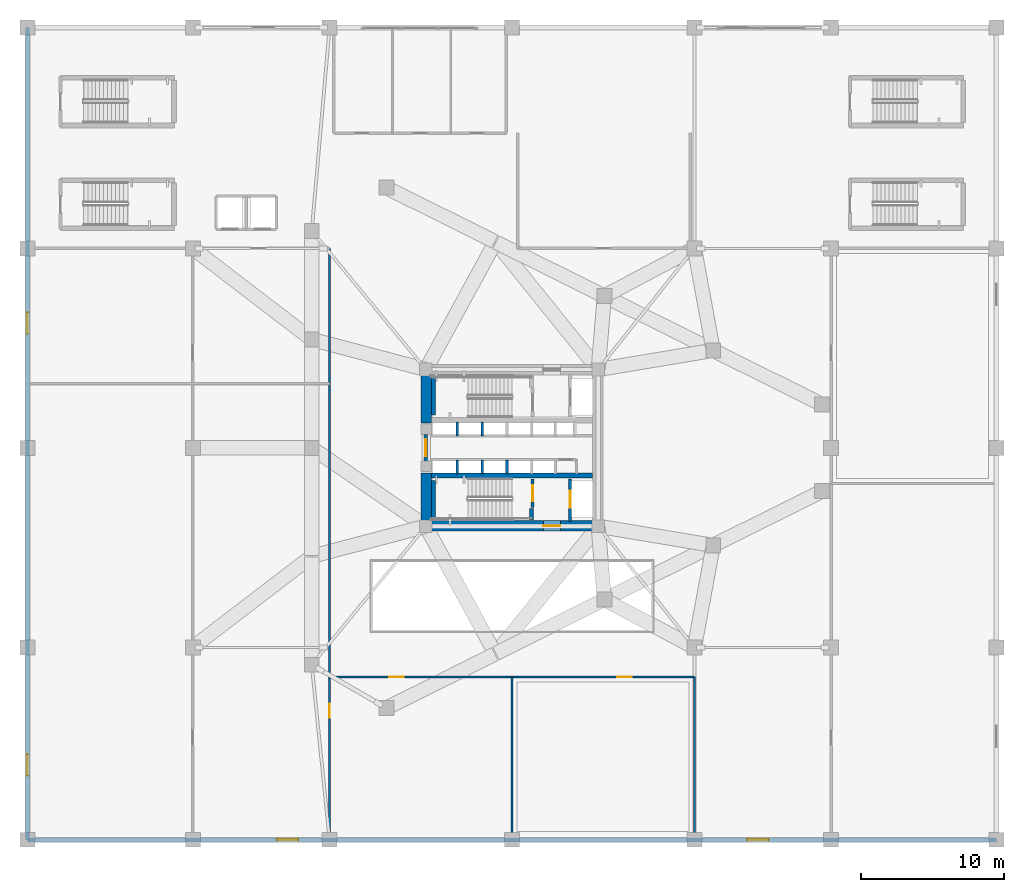
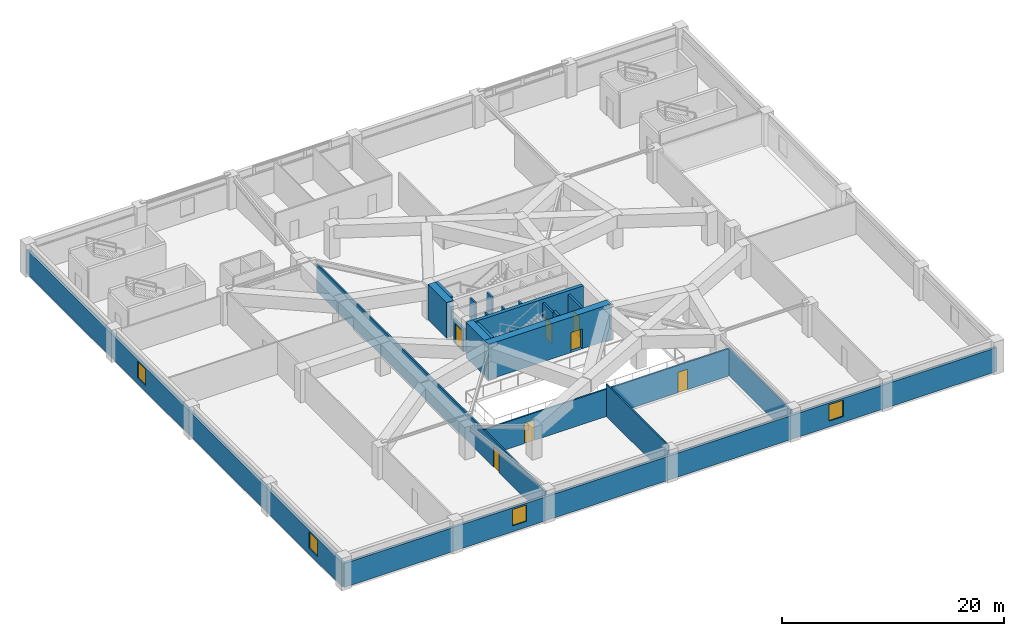
# One storey, part 5 of 16: 21 walls, 7 doors, 4 windows, 11 openings.
"""IFC4 building model written with IfcOpenShell, lengths in metres."""

from ifc_helpers import new_model, si_unit, direction, frame, frame_2d, origin, place, context, subcontext, project, spatial, rectangle, extrude, material, layer, layer_set, type_object, element, fill, save


model = new_model("IFC4")

# Units and contexts
model_context = context("Model", 3, precision=1e-05, world=origin(), true_north=direction((0.0, 1.0)))
body_context = subcontext(model_context, "Body", "Model", "MODEL_VIEW")
ifc_project = project(units=[si_unit("LENGTHUNIT", "METRE"), si_unit("AREAUNIT", "SQUARE_METRE"), si_unit("VOLUMEUNIT", "CUBIC_METRE"), si_unit("PLANEANGLEUNIT", "RADIAN"), si_unit("MASSUNIT", "GRAM", prefix="KILO")], contexts=[model_context])

# Site, building, storey
site_placement = place(None, origin())
site = spatial("IfcSite", under=ifc_project, at=site_placement, CompositionType="ELEMENT")
building_placement = place(site_placement, origin())
building = spatial("IfcBuilding", under=site, at=building_placement, Name="Yunling Apex Tower", CompositionType="ELEMENT")
storey_placement = place(building_placement, frame((0.0, 0.0, 16.199951171875)))
storey = spatial("IfcBuildingStorey", under=building, at=storey_placement, Name="L05", CompositionType="ELEMENT", Elevation=16.199951171875)

# Wall, opening, door
ifc_material_1 = material(Name="Concrete C60", Category="concrete")
ifc_layer_1 = layer(ifc_material_1, 0.75)
ifc_layer_set_1 = layer_set([ifc_layer_1], Name="Concrete C60")
wall_type_1 = type_object("IfcWallType", Name="WL-COR-1", PredefinedType="SHEAR", material=ifc_layer_set_1)
wall_1_placement = place(storey_placement, frame((-6.39990234375, -5.47509765625, 0.0), z_axis=(0.0, 0.0, 1.0), x_axis=(1.0, 0.0, 0.0)))
wall_1 = element("IfcWall", 1, at=wall_1_placement, inside=storey, type_object=wall_type_1, Name="L05 South Core Shear Wall", PredefinedType="SHEAR", context=body_context, shape_type="SweptSolid", body=[
    extrude(rectangle(XDim=12.7998046875, YDim=0.75, at=frame_2d((6.39990234375, 0.0))), origin(), (0.0, 0.0, 1.0), 3.900146484375),
])
opening_1_placement = place(wall_1_placement, frame((8.60009765625, 0.0, 0.0)))
opening_1 = element("IfcOpeningElement", 2, at=opening_1_placement, cuts=wall_1, Name="Opening DR-FFL-1", PredefinedType="OPENING", context=body_context, shape_type="SweptSolid", body=[
    extrude(rectangle(XDim=1.199951171875, YDim=2.199951171875, at=frame_2d((0.60009765625, 1.10009765625))), frame((0.0, 0.385009765625, 0.0), z_axis=(0.0, -1.0, 0.0), x_axis=(1.0, 0.0, 0.0)), (0.0, 0.0, 1.0), 0.77001953125),
])
ifc_material_2 = material(Name="Steel Q355B", Category="steel")
door_type_1 = type_object("IfcDoorType", Name="DR-FFL-1", OperationType="NOTDEFINED", PredefinedType="DOOR", material=ifc_material_2)
door_1_placement = place(opening_1_placement, origin())
door_1 = element("IfcDoor", 3, at=door_1_placement, inside=storey, type_object=door_type_1, Name="L05 South Firefighting Lobby Door", OperationType="SINGLE_SWING_RIGHT", OverallHeight=2.199951171875, OverallWidth=1.199951171875, PredefinedType="DOOR", context=body_context, shape_type="SweptSolid", body=[
    extrude(rectangle(XDim=1.199951171875, YDim=2.199951171875, at=frame_2d((0.60009765625, 1.10009765625))), frame((0.0, 0.02490234375, 0.0), z_axis=(0.0, -1.0, 0.0), x_axis=(1.0, 0.0, 0.0)), (0.0, 0.0, 1.0), 0.050048828125),
])
fill(opening_1, door_1)

# Walls
for number, where, z_axis, x_axis, name in (
    (4, (-6.02490234375, -5.10009765625, 0.0), (0.0, 0.0, 1.0), (0.0, 1.0, 0.0), "L05 West-South Core Shear Wall"),
    (5, (-6.02490234375, 1.75, 0.0), (0.0, 0.0, 1.0), (0.0, 1.0, 0.0), "L05 West-North Core Shear Wall"),
):
    element("IfcWall", number, at=place(storey_placement, frame(where, z_axis=z_axis, x_axis=x_axis)), inside=storey, type_object=wall_type_1, Name=name, PredefinedType="SHEAR", context=body_context, shape_type="SweptSolid", body=[
        extrude(rectangle(XDim=3.35009765625, YDim=0.75, at=frame_2d((1.675048828125, 0.0))), origin(), (0.0, 0.0, 1.0), 3.900146484375),
    ])
ifc_material_3 = material(Name="Concrete C40", Category="concrete")
ifc_layer_2 = layer(ifc_material_3, 0.360107421875)
ifc_layer_set_2 = layer_set([ifc_layer_2], Name="Concrete C40")
wall_type_2 = type_object("IfcWallType", Name="WL-COR-4", PredefinedType="SHEAR", material=ifc_layer_set_2)
wall_2_placement = place(storey_placement, frame((-5.64990234375, -1.93994140625, 0.0), z_axis=(0.0, 0.0, 1.0), x_axis=(1.0, 0.0, 0.0)))
element("IfcWall", 6, at=wall_2_placement, inside=storey, type_object=wall_type_2, Name="L05 South Internal Core Shear Wall", PredefinedType="SHEAR", context=body_context, shape_type="SweptSolid", body=[
    extrude(rectangle(XDim=11.2998046875, YDim=0.360107421875, at=frame_2d((5.64990234375, 0.0))), origin(), (0.0, 0.0, 1.0), 3.900146484375),
])
ifc_layer_3 = layer(ifc_material_3, 0.280029296875)
ifc_layer_set_3 = layer_set([ifc_layer_3], Name="Concrete C40")
wall_type_3 = type_object("IfcWallType", Name="WL-COR-8", PredefinedType="SHEAR", material=ifc_layer_set_3)
for number, where, z_axis, x_axis, name in (
    (7, (-5.52001953125, 2.300048828125, 0.0), (0.0, 0.0, 1.0), (0.0, 1.0, 0.0), "L05 ST-1 West Landing Bearing Wall"),
    (8, (-5.52001953125, -5.050048828125, 0.0), (0.0, 0.0, 1.0), (0.0, 1.0, 0.0), "L05 ST-2 West Landing Bearing Wall"),
):
    element("IfcWall", number, at=place(storey_placement, frame(where, z_axis=z_axis, x_axis=x_axis)), inside=storey, type_object=wall_type_3, Name=name, PredefinedType="SHEAR", context=body_context, shape_type="SweptSolid", body=[
        extrude(rectangle(XDim=2.75, YDim=0.280029296875, at=frame_2d((1.375, 0.0))), origin(), (0.0, 0.0, 1.0), 3.900146484375),
    ])
wall_3_placement = place(storey_placement, frame((1.3798828125, -5.050048828125, 0.0), z_axis=(0.0, 0.0, 1.0), x_axis=(0.0, 1.0, 0.0)))
element("IfcWall", 9, at=wall_3_placement, inside=storey, type_object=wall_type_3, Name="L05 ST-2 East Landing Bearing Pier", PredefinedType="SHEAR", context=body_context, shape_type="SweptSolid", body=[
    extrude(rectangle(XDim=0.800048828125, YDim=0.280029296875, at=frame_2d((0.39990234375, 0.0))), origin(), (0.0, 0.0, 1.0), 3.900146484375),
])

# Wall, openings, windows
ifc_material_4 = material(Name="Precast concrete C40", Category="concrete")
ifc_layer_4 = layer(ifc_material_4, 0.280029296875)
ifc_layer_set_4 = layer_set([ifc_layer_4], Name="Precast concrete C40")
wall_type_4 = type_object("IfcWallType", Name="WL-EXT-2", PredefinedType="SOLIDWALL", material=ifc_layer_set_4)
wall_4_placement = place(storey_placement, frame((34.0, -27.5, 0.0), z_axis=(0.0, 0.0, 1.0), x_axis=(-1.0, 0.0, 0.0)))
wall_4 = element("IfcWall", 10, at=wall_4_placement, inside=storey, type_object=wall_type_4, Name="WL-POD-L05-S", PredefinedType="SOLIDWALL", context=body_context, shape_type="SweptSolid", body=[
    extrude(rectangle(XDim=68.0, YDim=0.280029296875, at=frame_2d((34.0, 0.0))), origin(), (0.0, 0.0, 1.0), 2.64013671875),
])
opening_2_placement = place(wall_4_placement, frame((16.0, 0.0, 0.64990234375)))
opening_2 = element("IfcOpeningElement", 11, at=opening_2_placement, cuts=wall_4, Name="Opening WN-POD-3", PredefinedType="OPENING", context=body_context, shape_type="SweptSolid", body=[
    extrude(rectangle(XDim=1.5, YDim=1.800048828125, at=frame_2d((0.75, 0.89990234375))), frame((0.0, 0.14990234375, 0.0), z_axis=(0.0, -1.0, 0.0), x_axis=(1.0, 0.0, 0.0)), (0.0, 0.0, 1.0), 0.300048828125),
])
opening_3_placement = place(wall_4_placement, frame((49.0, 0.0, 0.64990234375)))
opening_3 = element("IfcOpeningElement", 12, at=opening_3_placement, cuts=wall_4, Name="Opening WN-POD-3", PredefinedType="OPENING", context=body_context, shape_type="SweptSolid", body=[
    extrude(rectangle(XDim=1.5, YDim=1.800048828125, at=frame_2d((0.75, 0.89990234375))), frame((0.0, 0.14990234375, 0.0), z_axis=(0.0, -1.0, 0.0), x_axis=(1.0, 0.0, 0.0)), (0.0, 0.0, 1.0), 0.300048828125),
])
ifc_material_5 = material(Name="Bronze tinted low-E glass", Category="glass")
window_type = type_object("IfcWindowType", Name="WN-POD-3", PartitioningType="SINGLE_PANEL", PredefinedType="WINDOW", material=ifc_material_5)
window_1_placement = place(opening_2_placement, origin())
window_1 = element("IfcWindow", 13, at=window_1_placement, inside=storey, type_object=window_type, Name="WN-L05-S-1", OverallHeight=1.800048828125, OverallWidth=1.5, PartitioningType="SINGLE_PANEL", PredefinedType="WINDOW", context=body_context, shape_type="SweptSolid", body=[
    extrude(rectangle(XDim=1.5, YDim=1.800048828125, at=frame_2d((0.75, 0.89990234375))), frame((0.0, 0.030029296875, 0.0), z_axis=(0.0, -1.0, 0.0), x_axis=(1.0, 0.0, 0.0)), (0.0, 0.0, 1.0), 0.06005859375),
])
fill(opening_2, window_1)
window_2_placement = place(opening_3_placement, origin())
window_2 = element("IfcWindow", 14, at=window_2_placement, inside=storey, type_object=window_type, Name="WN-L05-S-2", OverallHeight=1.800048828125, OverallWidth=1.5, PartitioningType="SINGLE_PANEL", PredefinedType="WINDOW", context=body_context, shape_type="SweptSolid", body=[
    extrude(rectangle(XDim=1.5, YDim=1.800048828125, at=frame_2d((0.75, 0.89990234375))), frame((0.0, 0.030029296875, 0.0), z_axis=(0.0, -1.0, 0.0), x_axis=(1.0, 0.0, 0.0)), (0.0, 0.0, 1.0), 0.06005859375),
])
fill(opening_3, window_2)

wall_5_placement = place(storey_placement, frame((-34.0, -27.5, 0.0), z_axis=(0.0, 0.0, 1.0), x_axis=(0.0, 1.0, 0.0)))
wall_5 = element("IfcWall", 15, at=wall_5_placement, inside=storey, type_object=wall_type_4, Name="WL-POD-L05-W", PredefinedType="SOLIDWALL", context=body_context, shape_type="SweptSolid", body=[
    extrude(rectangle(XDim=57.0, YDim=0.280029296875, at=frame_2d((28.5, 0.0))), origin(), (0.0, 0.0, 1.0), 2.64013671875),
])
opening_4_placement = place(wall_5_placement, frame((4.5, 0.0, 0.64990234375)))
opening_4 = element("IfcOpeningElement", 16, at=opening_4_placement, cuts=wall_5, Name="Opening WN-POD-3", PredefinedType="OPENING", context=body_context, shape_type="SweptSolid", body=[
    extrude(rectangle(XDim=1.5, YDim=1.800048828125, at=frame_2d((0.75, 0.89990234375))), frame((0.0, 0.14990234375, 0.0), z_axis=(0.0, -1.0, 0.0), x_axis=(1.0, 0.0, 0.0)), (0.0, 0.0, 1.0), 0.300048828125),
])
opening_5_placement = place(wall_5_placement, frame((35.5, 0.0, 0.64990234375)))
opening_5 = element("IfcOpeningElement", 17, at=opening_5_placement, cuts=wall_5, Name="Opening WN-POD-3", PredefinedType="OPENING", context=body_context, shape_type="SweptSolid", body=[
    extrude(rectangle(XDim=1.5, YDim=1.800048828125, at=frame_2d((0.75, 0.89990234375))), frame((0.0, 0.14990234375, 0.0), z_axis=(0.0, -1.0, 0.0), x_axis=(1.0, 0.0, 0.0)), (0.0, 0.0, 1.0), 0.300048828125),
])
window_3_placement = place(opening_4_placement, origin())
window_3 = element("IfcWindow", 18, at=window_3_placement, inside=storey, type_object=window_type, Name="WN-L05-W-1", OverallHeight=1.800048828125, OverallWidth=1.5, PartitioningType="SINGLE_PANEL", PredefinedType="WINDOW", context=body_context, shape_type="SweptSolid", body=[
    extrude(rectangle(XDim=1.5, YDim=1.800048828125, at=frame_2d((0.75, 0.89990234375))), frame((0.0, 0.030029296875, 0.0), z_axis=(0.0, -1.0, 0.0), x_axis=(1.0, 0.0, 0.0)), (0.0, 0.0, 1.0), 0.06005859375),
])
fill(opening_4, window_3)
window_4_placement = place(opening_5_placement, origin())
window_4 = element("IfcWindow", 19, at=window_4_placement, inside=storey, type_object=window_type, Name="WN-L05-W-2", OverallHeight=1.800048828125, OverallWidth=1.5, PartitioningType="SINGLE_PANEL", PredefinedType="WINDOW", context=body_context, shape_type="SweptSolid", body=[
    extrude(rectangle(XDim=1.5, YDim=1.800048828125, at=frame_2d((0.75, 0.89990234375))), frame((0.0, 0.030029296875, 0.0), z_axis=(0.0, -1.0, 0.0), x_axis=(1.0, 0.0, 0.0)), (0.0, 0.0, 1.0), 0.06005859375),
])
fill(opening_5, window_4)

# Wall, opening, door
ifc_material_6 = material(Name="Gypsum board acoustic partition")
ifc_layer_5 = layer(ifc_material_6, 0.159912109375)
ifc_layer_set_5 = layer_set([ifc_layer_5], Name="Gypsum board acoustic partition")
wall_type_5 = type_object("IfcWallType", Name="WL-PRT-1", PredefinedType="PARTITIONING", material=ifc_layer_set_5)
wall_6_placement = place(storey_placement, frame((-12.800048828125, -27.35009765625, 0.0), z_axis=(0.0, 0.0, 1.0), x_axis=(0.0, 1.0, 0.0)))
wall_6 = element("IfcWall", 20, at=wall_6_placement, inside=storey, type_object=wall_type_5, Name="WL-L05-WE", PredefinedType="PARTITIONING", context=body_context, shape_type="SweptSolid", body=[
    extrude(rectangle(XDim=41.35009765625, YDim=0.159912109375, at=frame_2d((20.675048828125, 0.0))), origin(), (0.0, 0.0, 1.0), 3.01513671875),
])
opening_6_placement = place(wall_6_placement, frame((8.39990234375, 0.0, 0.0)))
opening_6 = element("IfcOpeningElement", 21, at=opening_6_placement, cuts=wall_6, Name="Opening DR-OFF-1", PredefinedType="OPENING", context=body_context, shape_type="SweptSolid", body=[
    extrude(rectangle(XDim=1.0, YDim=2.25, at=frame_2d((0.5, 1.125))), frame((0.0, 0.08984375, 0.0), z_axis=(0.0, -1.0, 0.0), x_axis=(1.0, 0.0, 0.0)), (0.0, 0.0, 1.0), 0.179931640625),
])
ifc_material_7 = material(Name="Bronze anodised aluminium", Category="aluminium")
door_type_2 = type_object("IfcDoorType", Name="DR-OFF-1", OperationType="NOTDEFINED", PredefinedType="DOOR", material=ifc_material_7)
door_2_placement = place(opening_6_placement, origin())
door_2 = element("IfcDoor", 22, at=door_2_placement, inside=storey, type_object=door_type_2, Name="L05 Podium Sky Restaurant Door", OperationType="SINGLE_SWING_LEFT", OverallHeight=2.25, OverallWidth=1.0, PredefinedType="DOOR", context=body_context, shape_type="SweptSolid", body=[
    extrude(rectangle(XDim=1.0, YDim=2.25, at=frame_2d((0.5, 1.125))), frame((0.0, 0.02490234375, 0.0), z_axis=(0.0, -1.0, 0.0), x_axis=(1.0, 0.0, 0.0)), (0.0, 0.0, 1.0), 0.050048828125),
])
fill(opening_6, door_2)

# Wall, openings, doors
wall_7_placement = place(storey_placement, frame((-12.800048828125, -16.080078125, 0.0), z_axis=(0.0, 0.0, 1.0), x_axis=(1.0, 0.0, 0.0)))
wall_7 = element("IfcWall", 23, at=wall_7_placement, inside=storey, type_object=wall_type_5, Name="WL-L05-SN", PredefinedType="PARTITIONING", context=body_context, shape_type="SweptSolid", body=[
    extrude(rectangle(XDim=25.60009765625, YDim=0.159912109375, at=frame_2d((12.800048828125, 0.0))), origin(), (0.0, 0.0, 1.0), 3.01513671875),
])
opening_7_placement = place(wall_7_placement, frame((4.199951171875, 0.0, 0.0)))
opening_7 = element("IfcOpeningElement", 24, at=opening_7_placement, cuts=wall_7, Name="Opening DR-OFF-1", PredefinedType="OPENING", context=body_context, shape_type="SweptSolid", body=[
    extrude(rectangle(XDim=1.0, YDim=2.25, at=frame_2d((0.5, 1.125))), frame((0.0, 0.08984375, 0.0), z_axis=(0.0, -1.0, 0.0), x_axis=(1.0, 0.0, 0.0)), (0.0, 0.0, 1.0), 0.179931640625),
])
opening_8_placement = place(wall_7_placement, frame((20.199951171875, 0.0, 0.0)))
opening_8 = element("IfcOpeningElement", 25, at=opening_8_placement, cuts=wall_7, Name="Opening DR-OFF-1", PredefinedType="OPENING", context=body_context, shape_type="SweptSolid", body=[
    extrude(rectangle(XDim=1.0, YDim=2.25, at=frame_2d((0.5, 1.125))), frame((0.0, 0.08984375, 0.0), z_axis=(0.0, -1.0, 0.0), x_axis=(1.0, 0.0, 0.0)), (0.0, 0.0, 1.0), 0.179931640625),
])
door_3_placement = place(opening_7_placement, origin())
door_3 = element("IfcDoor", 26, at=door_3_placement, inside=storey, type_object=door_type_2, Name="L05 Briefing Room Door", OperationType="SINGLE_SWING_LEFT", OverallHeight=2.25, OverallWidth=1.0, PredefinedType="DOOR", context=body_context, shape_type="SweptSolid", body=[
    extrude(rectangle(XDim=1.0, YDim=2.25, at=frame_2d((0.5, 1.125))), frame((0.0, 0.02490234375, 0.0), z_axis=(0.0, -1.0, 0.0), x_axis=(1.0, 0.0, 0.0)), (0.0, 0.0, 1.0), 0.050048828125),
])
fill(opening_7, door_3)
door_4_placement = place(opening_8_placement, origin())
door_4 = element("IfcDoor", 27, at=door_4_placement, inside=storey, type_object=door_type_2, Name="L05 Atrium Salon Door", OperationType="SINGLE_SWING_RIGHT", OverallHeight=2.25, OverallWidth=1.0, PredefinedType="DOOR", context=body_context, shape_type="SweptSolid", body=[
    extrude(rectangle(XDim=1.0, YDim=2.25, at=frame_2d((0.5, 1.125))), frame((0.0, 0.02490234375, 0.0), z_axis=(0.0, -1.0, 0.0), x_axis=(1.0, 0.0, 0.0)), (0.0, 0.0, 1.0), 0.050048828125),
])
fill(opening_8, door_4)

# Walls
wall_8_placement = place(storey_placement, frame((12.800048828125, -27.35009765625, 0.0), z_axis=(0.0, 0.0, 1.0), x_axis=(0.0, 1.0, 0.0)))
element("IfcWall", 28, at=wall_8_placement, inside=storey, type_object=wall_type_5, Name="WL-L05-SE", PredefinedType="PARTITIONING", context=body_context, shape_type="SweptSolid", body=[
    extrude(rectangle(XDim=11.27001953125, YDim=0.159912109375, at=frame_2d((5.635009765625, 0.0))), origin(), (0.0, 0.0, 1.0), 3.01513671875),
])
ifc_layer_6 = layer(ifc_material_6, 0.139892578125)
ifc_layer_set_6 = layer_set([ifc_layer_6], Name="Gypsum board acoustic partition")
wall_type_6 = type_object("IfcWallType", Name="WL-PRT-2", PredefinedType="PARTITIONING", material=ifc_layer_set_6)
wall_9_placement = place(storey_placement, frame((0.0, -27.35009765625, 0.0), z_axis=(0.0, 0.0, 1.0), x_axis=(0.0, 1.0, 0.0)))
element("IfcWall", 29, at=wall_9_placement, inside=storey, type_object=wall_type_6, Name="WL-L05-SM", PredefinedType="PARTITIONING", context=body_context, shape_type="SweptSolid", body=[
    extrude(rectangle(XDim=11.27001953125, YDim=0.139892578125, at=frame_2d((5.635009765625, 0.0))), origin(), (0.0, 0.0, 1.0), 3.56005859375),
])

# Wall, opening, door
ifc_material_8 = material(Name="Autoclaved aerated concrete masonry", Category="masonry")
ifc_layer_7 = layer(ifc_material_8, 0.219970703125)
ifc_layer_set_7 = layer_set([ifc_layer_7], Name="Autoclaved aerated concrete masonry")
wall_type_7 = type_object("IfcWallType", Name="WL-SHF-1", PredefinedType="PLUMBINGWALL", material=ifc_layer_set_7)
wall_10_placement = place(storey_placement, frame((-6.050048828125, -0.949951171875, 0.0), z_axis=(0.0, 0.0, 1.0), x_axis=(0.0, 1.0, 0.0)))
wall_10 = element("IfcWall", 30, at=wall_10_placement, inside=storey, type_object=wall_type_7, Name="WL-COR-WPORT-L05", PredefinedType="PLUMBINGWALL", context=body_context, shape_type="SweptSolid", body=[
    extrude(rectangle(XDim=1.89990234375, YDim=0.219970703125, at=frame_2d((0.949951171875, 0.0))), origin(), (0.0, 0.0, 1.0), 2.5400390625),
])
opening_9_placement = place(wall_10_placement, frame((0.35009765625, 0.0, 0.0)))
opening_9 = element("IfcOpeningElement", 31, at=opening_9_placement, cuts=wall_10, Name="Opening DR-FFL-1", PredefinedType="OPENING", context=body_context, shape_type="SweptSolid", body=[
    extrude(rectangle(XDim=1.199951171875, YDim=2.199951171875, at=frame_2d((0.60009765625, 1.10009765625))), frame((0.0, 0.1201171875, 0.0), z_axis=(0.0, -1.0, 0.0), x_axis=(1.0, 0.0, 0.0)), (0.0, 0.0, 1.0), 0.239990234375),
])
door_5_placement = place(opening_9_placement, origin())
door_5 = element("IfcDoor", 32, at=door_5_placement, inside=storey, type_object=door_type_1, Name="L05 Passenger Lift Lobby Entrance Door", OperationType="SINGLE_SWING_LEFT", OverallHeight=2.199951171875, OverallWidth=1.199951171875, PredefinedType="DOOR", context=body_context, shape_type="SweptSolid", body=[
    extrude(rectangle(XDim=1.199951171875, YDim=2.199951171875, at=frame_2d((0.60009765625, 1.10009765625))), frame((0.0, 0.02490234375, 0.0), z_axis=(0.0, -1.0, 0.0), x_axis=(1.0, 0.0, 0.0)), (0.0, 0.0, 1.0), 0.050048828125),
])
fill(opening_9, door_5)

wall_11_placement = place(storey_placement, frame((1.449951171875, -4.179931640625, 0.0), z_axis=(0.0, 0.0, 1.0), x_axis=(0.0, 1.0, 0.0)))
wall_11 = element("IfcWall", 33, at=wall_11_placement, inside=storey, type_object=wall_type_7, Name="WL-ST2-E-L05", PredefinedType="PLUMBINGWALL", context=body_context, shape_type="SweptSolid", body=[
    extrude(rectangle(XDim=1.97998046875, YDim=0.219970703125, at=frame_2d((0.989990234375, 0.0))), origin(), (0.0, 0.0, 1.0), 3.56005859375),
])
opening_10_placement = place(wall_11_placement, frame((0.419921875, 0.0, 0.0)))
opening_10 = element("IfcOpeningElement", 34, at=opening_10_placement, cuts=wall_11, Name="Opening DR-ST-1", PredefinedType="OPENING", context=body_context, shape_type="SweptSolid", body=[
    extrude(rectangle(XDim=1.14990234375, YDim=2.14990234375, at=frame_2d((0.574951171875, 1.074951171875))), frame((0.0, 0.1201171875, 0.0), z_axis=(0.0, -1.0, 0.0), x_axis=(1.0, 0.0, 0.0)), (0.0, 0.0, 1.0), 0.239990234375),
])
door_type_3 = type_object("IfcDoorType", Name="DR-ST-1", OperationType="NOTDEFINED", PredefinedType="DOOR", material=ifc_material_2)
door_6_placement = place(opening_10_placement, origin())
door_6 = element("IfcDoor", 35, at=door_6_placement, inside=storey, type_object=door_type_3, Name="L05 Stair ST-2 Fire Door", OperationType="SINGLE_SWING_RIGHT", OverallHeight=2.14990234375, OverallWidth=1.14990234375, PredefinedType="DOOR", context=body_context, shape_type="SweptSolid", body=[
    extrude(rectangle(XDim=1.14990234375, YDim=2.14990234375, at=frame_2d((0.574951171875, 1.074951171875))), frame((0.0, 0.02490234375, 0.0), z_axis=(0.0, -1.0, 0.0), x_axis=(1.0, 0.0, 0.0)), (0.0, 0.0, 1.0), 0.050048828125),
])
fill(opening_10, door_6)

wall_12_placement = place(storey_placement, frame((4.080078125, -5.14990234375, 0.0), z_axis=(0.0, 0.0, 1.0), x_axis=(0.0, 1.0, 0.0)))
wall_12 = element("IfcWall", 36, at=wall_12_placement, inside=storey, type_object=wall_type_7, Name="WL-FFL2-W-L05", PredefinedType="PLUMBINGWALL", context=body_context, shape_type="SweptSolid", body=[
    extrude(rectangle(XDim=2.949951171875, YDim=0.219970703125, at=frame_2d((1.47509765625, 0.0))), origin(), (0.0, 0.0, 1.0), 3.56005859375),
])
opening_11_placement = place(wall_12_placement, frame((0.949951171875, 0.0, 0.0)))
opening_11 = element("IfcOpeningElement", 37, at=opening_11_placement, cuts=wall_12, Name="Opening LD-FFL-1", PredefinedType="OPENING", context=body_context, shape_type="SweptSolid", body=[
    extrude(rectangle(XDim=1.199951171875, YDim=2.25, at=frame_2d((0.60009765625, 1.125))), frame((0.0, 0.1201171875, 0.0), z_axis=(0.0, -1.0, 0.0), x_axis=(1.0, 0.0, 0.0)), (0.0, 0.0, 1.0), 0.239990234375),
])
door_type_4 = type_object("IfcDoorType", Name="LD-FFL-1", OperationType="DOUBLE_DOOR_SLIDING", PredefinedType="DOOR", material=ifc_material_2)
door_7_placement = place(opening_11_placement, origin())
door_7 = element("IfcDoor", 38, at=door_7_placement, inside=storey, type_object=door_type_4, Name="L05 Lift FFL-2 Landing Door", OperationType="DOUBLE_DOOR_SLIDING", OverallHeight=2.25, OverallWidth=1.199951171875, PredefinedType="DOOR", context=body_context, shape_type="SweptSolid", body=[
    extrude(rectangle(XDim=1.199951171875, YDim=2.25, at=frame_2d((0.60009765625, 1.125))), frame((0.0, 0.02490234375, 0.0), z_axis=(0.0, -1.0, 0.0), x_axis=(1.0, 0.0, 0.0)), (0.0, 0.0, 1.0), 0.050048828125),
])
fill(opening_11, door_7)

# Walls
ifc_layer_8 = layer(ifc_material_8, 0.179931640625)
ifc_layer_set_8 = layer_set([ifc_layer_8], Name="Autoclaved aerated concrete masonry")
wall_type_8 = type_object("IfcWallType", Name="WL-SHF-2", PredefinedType="PLUMBINGWALL", material=ifc_layer_set_8)
for number, where, z_axis, x_axis, name in (
    (39, (-3.85009765625, 0.840087890625, 0.0), (0.0, 0.0, 1.0), (0.0, 1.0, 0.0), "WL-DIV-L12-L05"),
    (40, (-3.85009765625, -1.820068359375, 0.0), (0.0, 0.0, 1.0), (0.0, 1.0, 0.0), "WL-DIV-L34-L05"),
    (41, (-2.10009765625, 0.840087890625, 0.0), (0.0, 0.0, 1.0), (0.0, 1.0, 0.0), "WL-BNK-LM-N-L05"),
    (42, (-2.10009765625, -1.820068359375, 0.0), (0.0, 0.0, 1.0), (0.0, 1.0, 0.0), "WL-BNK-LM-S-L05"),
    (43, (-0.35009765625, -1.820068359375, 0.0), (0.0, 0.0, 1.0), (0.0, 1.0, 0.0), "WL-DIV-M34-L05"),
):
    element("IfcWall", number, at=place(storey_placement, frame(where, z_axis=z_axis, x_axis=x_axis)), inside=storey, type_object=wall_type_8, Name=name, PredefinedType="PLUMBINGWALL", context=body_context, shape_type="SweptSolid", body=[
        extrude(rectangle(XDim=0.97998046875, YDim=0.179931640625, at=frame_2d((0.489990234375, 0.0))), origin(), (0.0, 0.0, 1.0), 3.56005859375),
    ])

save(model, "model.ifc")
